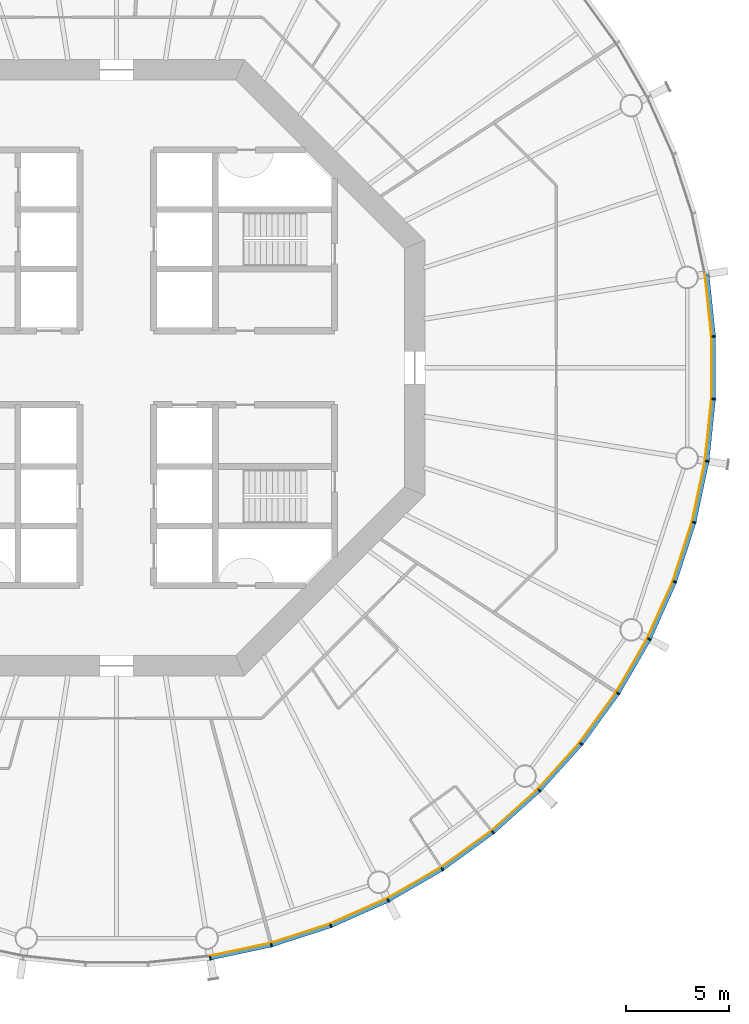
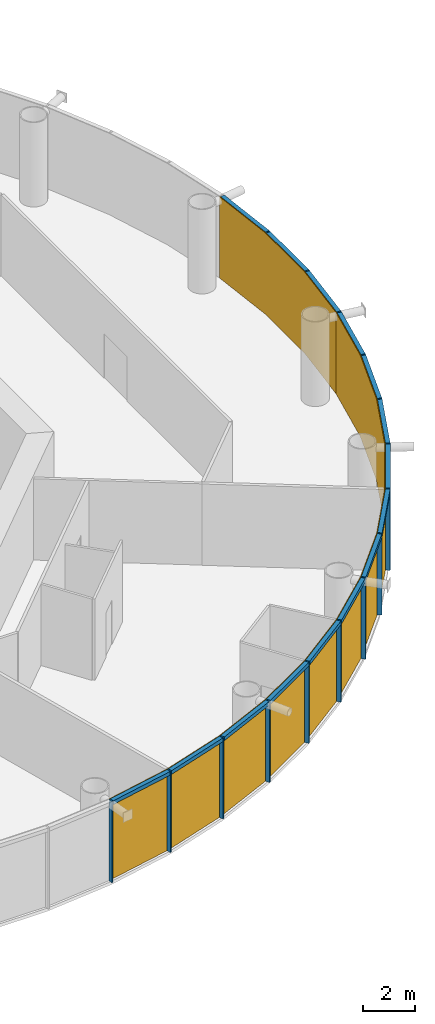
# One storey, part 13 of 17: 30 members, 5 curtain walls.
"""IFC4 building model written with IfcOpenShell, lengths in metres."""

from ifc_helpers import new_model, si_unit, direction, frame, origin, origin_2d, place, context, subcontext, project, spatial, polyline, rectangle, outline, extrude, material, layer, layer_set, material_profile, profile_set, type_object, element, aggregate, save


model = new_model("IFC4")

# Units and contexts
model_context = context("Model", 3, precision=1e-05, world=origin(), true_north=direction((0.0, 1.0)))
body_context = subcontext(model_context, "Body", "Model", "MODEL_VIEW")
ifc_project = project(units=[si_unit("LENGTHUNIT", "METRE"), si_unit("AREAUNIT", "SQUARE_METRE"), si_unit("VOLUMEUNIT", "CUBIC_METRE"), si_unit("PLANEANGLEUNIT", "RADIAN"), si_unit("MASSUNIT", "GRAM", prefix="KILO")], contexts=[model_context])

# Member
ifc_material_1 = material(Name="Anodised aluminium", Category="aluminium")
ifc_material_profile_1 = material_profile(ifc_material_1, rectangle(XDim=0.06494140625, YDim=0.18505859375, at=origin_2d()), Name="Mullion 65 x 185 mm anodised aluminium")
ifc_profile_set_1 = profile_set([ifc_material_profile_1], Name="Anodised aluminium")
member_type_1 = type_object("IfcMemberType", Name="Mullion 65 x 185 mm anodised aluminium", PredefinedType="MULLION", material=ifc_profile_set_1)
site_placement = place(None, origin())
building_placement = place(site_placement, origin())
storey_placement = place(building_placement, frame((0.0, 0.0, 176.0)))
member_1_placement = place(storey_placement, frame((94.551025390625, 51.265625, 0.0), z_axis=(0.0, 0.0, 1.0), x_axis=(0.987688340595, 0.15643446504, 0.0)))
member_1 = element("IfcMember", 1, at=member_1_placement, type_object=member_type_1, Name="MULLION L40-45", PredefinedType="MULLION", context=body_context, shape_type="SweptSolid", body=[
    extrude(rectangle(XDim=0.06494140625, YDim=0.18505859375, at=origin_2d()), origin(), (0.0, 0.0, 1.0), 3.85009765625),
])

member_2_placement = place(storey_placement, frame((97.52978515625, 51.898681640625, 0.0), z_axis=(0.0, 0.0, 1.0), x_axis=(0.965925826289, 0.258819045103, 0.0)))
member_2 = element("IfcMember", 2, at=member_2_placement, type_object=member_type_1, Name="MULLION L40-46", PredefinedType="MULLION", context=body_context, shape_type="SweptSolid", body=[
    extrude(rectangle(XDim=0.06494140625, YDim=0.18505859375, at=origin_2d()), origin(), (0.0, 0.0, 1.0), 3.85009765625),
])

member_3_placement = place(storey_placement, frame((100.42578125, 52.83984375, 0.0), z_axis=(0.0, 0.0, 1.0), x_axis=(0.933580426497, 0.358367949545, 0.0)))
member_3 = element("IfcMember", 3, at=member_3_placement, type_object=member_type_1, Name="MULLION L40-47", PredefinedType="MULLION", context=body_context, shape_type="SweptSolid", body=[
    extrude(rectangle(XDim=0.06494140625, YDim=0.18505859375, at=origin_2d()), origin(), (0.0, 0.0, 1.0), 3.85009765625),
])

member_4_placement = place(storey_placement, frame((103.207763671875, 54.078369140625, 0.0), z_axis=(0.0, 0.0, 1.0), x_axis=(0.891006524188, 0.45399049974, 0.0)))
member_4 = element("IfcMember", 4, at=member_4_placement, type_object=member_type_1, Name="MULLION L40-48", PredefinedType="MULLION", context=body_context, shape_type="SweptSolid", body=[
    extrude(rectangle(XDim=0.06494140625, YDim=0.18505859375, at=origin_2d()), origin(), (0.0, 0.0, 1.0), 3.85009765625),
])

member_5_placement = place(storey_placement, frame((105.844970703125, 55.60107421875, 0.0), z_axis=(0.0, 0.0, 1.0), x_axis=(0.838670567945, 0.544639035015, 0.0)))
member_5 = element("IfcMember", 5, at=member_5_placement, type_object=member_type_1, Name="MULLION L40-49", PredefinedType="MULLION", context=body_context, shape_type="SweptSolid", body=[
    extrude(rectangle(XDim=0.06494140625, YDim=0.18505859375, at=origin_2d()), origin(), (0.0, 0.0, 1.0), 3.85009765625),
])

member_6_placement = place(storey_placement, frame((108.30859375, 57.390869140625, 0.0), z_axis=(0.0, 0.0, 1.0), x_axis=(0.777145961457, 0.62932039105, 0.0)))
member_6 = element("IfcMember", 6, at=member_6_placement, type_object=member_type_1, Name="MULLION L40-50", PredefinedType="MULLION", context=body_context, shape_type="SweptSolid", body=[
    extrude(rectangle(XDim=0.06494140625, YDim=0.18505859375, at=origin_2d()), origin(), (0.0, 0.0, 1.0), 3.85009765625),
])

member_7_placement = place(storey_placement, frame((110.571533203125, 59.428466796875, 0.0), z_axis=(0.0, 0.0, 1.0), x_axis=(0.707106781187, 0.707106781187, 0.0)))
member_7 = element("IfcMember", 7, at=member_7_placement, type_object=member_type_1, Name="MULLION L40-51", PredefinedType="MULLION", context=body_context, shape_type="SweptSolid", body=[
    extrude(rectangle(XDim=0.06494140625, YDim=0.18505859375, at=origin_2d()), origin(), (0.0, 0.0, 1.0), 3.85009765625),
])

member_8_placement = place(storey_placement, frame((112.609130859375, 61.69140625, 0.0), z_axis=(0.0, 0.0, 1.0), x_axis=(0.62932039105, 0.777145961457, 0.0)))
member_8 = element("IfcMember", 8, at=member_8_placement, type_object=member_type_1, Name="MULLION L40-52", PredefinedType="MULLION", context=body_context, shape_type="SweptSolid", body=[
    extrude(rectangle(XDim=0.06494140625, YDim=0.18505859375, at=origin_2d()), origin(), (0.0, 0.0, 1.0), 3.85009765625),
])

member_9_placement = place(storey_placement, frame((114.39892578125, 64.155029296875, 0.0), z_axis=(0.0, 0.0, 1.0), x_axis=(0.544639035015, 0.838670567945, 0.0)))
member_9 = element("IfcMember", 9, at=member_9_placement, type_object=member_type_1, Name="MULLION L40-53", PredefinedType="MULLION", context=body_context, shape_type="SweptSolid", body=[
    extrude(rectangle(XDim=0.06494140625, YDim=0.18505859375, at=origin_2d()), origin(), (0.0, 0.0, 1.0), 3.85009765625),
])

member_10_placement = place(storey_placement, frame((115.921630859375, 66.792236328125, 0.0), z_axis=(0.0, 0.0, 1.0), x_axis=(0.45399049974, 0.891006524188, 0.0)))
member_10 = element("IfcMember", 10, at=member_10_placement, type_object=member_type_1, Name="MULLION L40-54", PredefinedType="MULLION", context=body_context, shape_type="SweptSolid", body=[
    extrude(rectangle(XDim=0.06494140625, YDim=0.18505859375, at=origin_2d()), origin(), (0.0, 0.0, 1.0), 3.85009765625),
])

member_11_placement = place(storey_placement, frame((117.16015625, 69.57421875, 0.0), z_axis=(0.0, 0.0, 1.0), x_axis=(0.358367949545, 0.933580426497, 0.0)))
member_11 = element("IfcMember", 11, at=member_11_placement, type_object=member_type_1, Name="MULLION L40-55", PredefinedType="MULLION", context=body_context, shape_type="SweptSolid", body=[
    extrude(rectangle(XDim=0.06494140625, YDim=0.18505859375, at=origin_2d()), origin(), (0.0, 0.0, 1.0), 3.85009765625),
])

member_12_placement = place(storey_placement, frame((118.101318359375, 72.47021484375, 0.0), z_axis=(0.0, 0.0, 1.0), x_axis=(0.258819045103, 0.965925826289, 0.0)))
member_12 = element("IfcMember", 12, at=member_12_placement, type_object=member_type_1, Name="MULLION L40-56", PredefinedType="MULLION", context=body_context, shape_type="SweptSolid", body=[
    extrude(rectangle(XDim=0.06494140625, YDim=0.18505859375, at=origin_2d()), origin(), (0.0, 0.0, 1.0), 3.85009765625),
])

member_13_placement = place(storey_placement, frame((118.734375, 75.448974609375, 0.0), z_axis=(0.0, 0.0, 1.0), x_axis=(0.15643446504, 0.987688340595, 0.0)))
member_13 = element("IfcMember", 13, at=member_13_placement, type_object=member_type_1, Name="MULLION L40-57", PredefinedType="MULLION", context=body_context, shape_type="SweptSolid", body=[
    extrude(rectangle(XDim=0.06494140625, YDim=0.18505859375, at=origin_2d()), origin(), (0.0, 0.0, 1.0), 3.85009765625),
])

member_14_placement = place(storey_placement, frame((119.052734375, 78.477294921875, 0.0), z_axis=(0.0, 0.0, 1.0), x_axis=(0.052335956243, 0.998629534755, 0.0)))
member_14 = element("IfcMember", 14, at=member_14_placement, type_object=member_type_1, Name="MULLION L40-58", PredefinedType="MULLION", context=body_context, shape_type="SweptSolid", body=[
    extrude(rectangle(XDim=0.06494140625, YDim=0.18505859375, at=origin_2d()), origin(), (0.0, 0.0, 1.0), 3.85009765625),
])

member_15_placement = place(storey_placement, frame((119.052734375, 81.522705078125, 0.0), z_axis=(0.0, 0.0, 1.0), x_axis=(-0.052335956243, 0.998629534755, 0.0)))
member_15 = element("IfcMember", 15, at=member_15_placement, type_object=member_type_1, Name="MULLION L40-59", PredefinedType="MULLION", context=body_context, shape_type="SweptSolid", body=[
    extrude(rectangle(XDim=0.06494140625, YDim=0.18505859375, at=origin_2d()), origin(), (0.0, 0.0, 1.0), 3.85009765625),
])

ifc_material_2 = material(Name="Anodised aluminium", Category="aluminium")
ifc_material_profile_2 = material_profile(ifc_material_2, rectangle(XDim=0.18505859375, YDim=0.175048828125, at=origin_2d()), Name="Transom 175 x 185 mm anodised aluminium")
ifc_profile_set_2 = profile_set([ifc_material_profile_2], Name="Anodised aluminium")
member_type_2 = type_object("IfcMemberType", Name="Transom 175 x 185 mm anodised aluminium", PredefinedType="USERDEFINED", material=ifc_profile_set_2)
member_16_placement = place(storey_placement, frame((94.587646484375, 51.2734375, 3.762451171875), z_axis=(0.97815822425, 0.207861704825, 0.0), x_axis=(-0.207861704825, 0.97815822425, 0.0)))
member_16 = element("IfcMember", 16, at=member_16_placement, type_object=member_type_2, Name="TRANSOM L40-45", ObjectType="TRANSOM", PredefinedType="USERDEFINED", context=body_context, shape_type="SweptSolid", body=[
    extrude(rectangle(XDim=0.18505859375, YDim=0.175048828125, at=origin_2d()), origin(), (0.0, 0.0, 1.0), 2.970458984375),
])

member_17_placement = place(storey_placement, frame((97.565185546875, 51.91015625, 3.762451171875), z_axis=(0.951055809184, 0.30901917063, 0.0), x_axis=(-0.30901917063, 0.951055809184, 0.0)))
member_17 = element("IfcMember", 17, at=member_17_placement, type_object=member_type_2, Name="TRANSOM L40-46", ObjectType="TRANSOM", PredefinedType="USERDEFINED", context=body_context, shape_type="SweptSolid", body=[
    extrude(rectangle(XDim=0.18505859375, YDim=0.175048828125, at=origin_2d()), origin(), (0.0, 0.0, 1.0), 2.970703125),
])

member_18_placement = place(storey_placement, frame((100.4599609375, 52.85498046875, 3.762451171875), z_axis=(0.913567348806, 0.406687471156, 0.0), x_axis=(-0.406687471156, 0.913567348806, 0.0)))
member_18 = element("IfcMember", 18, at=member_18_placement, type_object=member_type_2, Name="TRANSOM L40-47", ObjectType="TRANSOM", PredefinedType="USERDEFINED", context=body_context, shape_type="SweptSolid", body=[
    extrude(rectangle(XDim=0.18505859375, YDim=0.175048828125, at=origin_2d()), origin(), (0.0, 0.0, 1.0), 2.970458984375),
])

member_19_placement = place(storey_placement, frame((103.240234375, 54.096923828125, 3.762451171875), z_axis=(0.866009025146, 0.500028367561, 0.0), x_axis=(-0.500028367561, 0.866009025146, 0.0)))
member_19 = element("IfcMember", 19, at=member_19_placement, type_object=member_type_2, Name="TRANSOM L40-48", ObjectType="TRANSOM", PredefinedType="USERDEFINED", context=body_context, shape_type="SweptSolid", body=[
    extrude(rectangle(XDim=0.18505859375, YDim=0.175048828125, at=origin_2d()), origin(), (0.0, 0.0, 1.0), 2.970458984375),
])

member_20_placement = place(storey_placement, frame((105.875244140625, 55.622802734375, 3.762451171875), z_axis=(0.808991906087, 0.587819781808, 0.0), x_axis=(-0.587819781808, 0.808991906087, 0.0)))
member_20 = element("IfcMember", 20, at=member_20_placement, type_object=member_type_2, Name="TRANSOM L40-49", ObjectType="TRANSOM", PredefinedType="USERDEFINED", context=body_context, shape_type="SweptSolid", body=[
    extrude(rectangle(XDim=0.18505859375, YDim=0.175048828125, at=origin_2d()), origin(), (0.0, 0.0, 1.0), 2.970458984375),
])

member_21_placement = place(storey_placement, frame((108.33642578125, 57.415771484375, 3.762451171875), z_axis=(0.743163354343, 0.669110027395, 0.0), x_axis=(-0.669110027395, 0.743163354343, 0.0)))
member_21 = element("IfcMember", 21, at=member_21_placement, type_object=member_type_2, Name="TRANSOM L40-50", ObjectType="TRANSOM", PredefinedType="USERDEFINED", context=body_context, shape_type="SweptSolid", body=[
    extrude(rectangle(XDim=0.18505859375, YDim=0.175048828125, at=origin_2d()), origin(), (0.0, 0.0, 1.0), 2.970458984375),
])

member_22_placement = place(storey_placement, frame((110.5966796875, 59.4560546875, 3.762451171875), z_axis=(0.669110027395, 0.743163354343, 0.0), x_axis=(-0.743163354343, 0.669110027395, 0.0)))
member_22 = element("IfcMember", 22, at=member_22_placement, type_object=member_type_2, Name="TRANSOM L40-51", ObjectType="TRANSOM", PredefinedType="USERDEFINED", context=body_context, shape_type="SweptSolid", body=[
    extrude(rectangle(XDim=0.18505859375, YDim=0.175048828125, at=origin_2d()), origin(), (0.0, 0.0, 1.0), 2.970458984375),
])

member_23_placement = place(storey_placement, frame((112.631103515625, 61.7216796875, 3.762451171875), z_axis=(0.587819781808, 0.808991906087, 0.0), x_axis=(-0.808991906087, 0.587819781808, 0.0)))
member_23 = element("IfcMember", 23, at=member_23_placement, type_object=member_type_2, Name="TRANSOM L40-52", ObjectType="TRANSOM", PredefinedType="USERDEFINED", context=body_context, shape_type="SweptSolid", body=[
    extrude(rectangle(XDim=0.18505859375, YDim=0.175048828125, at=origin_2d()), origin(), (0.0, 0.0, 1.0), 2.970458984375),
])

member_24_placement = place(storey_placement, frame((114.417724609375, 64.187255859375, 3.762451171875), z_axis=(0.500028367561, 0.866009025146, 0.0), x_axis=(-0.866009025146, 0.500028367561, 0.0)))
member_24 = element("IfcMember", 24, at=member_24_placement, type_object=member_type_2, Name="TRANSOM L40-53", ObjectType="TRANSOM", PredefinedType="USERDEFINED", context=body_context, shape_type="SweptSolid", body=[
    extrude(rectangle(XDim=0.18505859375, YDim=0.175048828125, at=origin_2d()), origin(), (0.0, 0.0, 1.0), 2.970458984375),
])

member_25_placement = place(storey_placement, frame((115.93701171875, 66.826416015625, 3.762451171875), z_axis=(0.406687471156, 0.913567348806, 0.0), x_axis=(-0.913567348806, 0.406687471156, 0.0)))
member_25 = element("IfcMember", 25, at=member_25_placement, type_object=member_type_2, Name="TRANSOM L40-54", ObjectType="TRANSOM", PredefinedType="USERDEFINED", context=body_context, shape_type="SweptSolid", body=[
    extrude(rectangle(XDim=0.18505859375, YDim=0.175048828125, at=origin_2d()), origin(), (0.0, 0.0, 1.0), 2.970458984375),
])

member_26_placement = place(storey_placement, frame((117.171875, 69.609619140625, 3.762451171875), z_axis=(0.30901917063, 0.951055809184, 0.0), x_axis=(-0.951055809184, 0.30901917063, 0.0)))
member_26 = element("IfcMember", 26, at=member_26_placement, type_object=member_type_2, Name="TRANSOM L40-55", ObjectType="TRANSOM", PredefinedType="USERDEFINED", context=body_context, shape_type="SweptSolid", body=[
    extrude(rectangle(XDim=0.18505859375, YDim=0.175048828125, at=origin_2d()), origin(), (0.0, 0.0, 1.0), 2.970703125),
])

member_27_placement = place(storey_placement, frame((118.109130859375, 72.5068359375, 3.762451171875), z_axis=(0.207861704825, 0.97815822425, 0.0), x_axis=(-0.97815822425, 0.207861704825, 0.0)))
member_27 = element("IfcMember", 27, at=member_27_placement, type_object=member_type_2, Name="TRANSOM L40-56", ObjectType="TRANSOM", PredefinedType="USERDEFINED", context=body_context, shape_type="SweptSolid", body=[
    extrude(rectangle(XDim=0.18505859375, YDim=0.175048828125, at=origin_2d()), origin(), (0.0, 0.0, 1.0), 2.970458984375),
])

member_28_placement = place(storey_placement, frame((118.73828125, 75.486083984375, 3.762451171875), z_axis=(0.104547872381, 0.994519855197, 0.0), x_axis=(-0.994519855197, 0.104547872381, 0.0)))
member_28 = element("IfcMember", 28, at=member_28_placement, type_object=member_type_2, Name="TRANSOM L40-57", ObjectType="TRANSOM", PredefinedType="USERDEFINED", context=body_context, shape_type="SweptSolid", body=[
    extrude(rectangle(XDim=0.18505859375, YDim=0.175048828125, at=origin_2d()), origin(), (0.0, 0.0, 1.0), 2.970458984375),
])

member_29_placement = place(storey_placement, frame((119.052734375, 78.5146484375, 3.762451171875), z_axis=(0.0, 1.0, 0.0), x_axis=(-1.0, 0.0, 0.0)))
member_29 = element("IfcMember", 29, at=member_29_placement, type_object=member_type_2, Name="TRANSOM L40-58", ObjectType="TRANSOM", PredefinedType="USERDEFINED", context=body_context, shape_type="SweptSolid", body=[
    extrude(rectangle(XDim=0.18505859375, YDim=0.175048828125, at=origin_2d()), origin(), (0.0, 0.0, 1.0), 2.970703125),
])

member_30_placement = place(storey_placement, frame((119.048828125, 81.559814453125, 3.762451171875), z_axis=(-0.104547872381, 0.994519855197, 0.0), x_axis=(-0.994519855197, -0.104547872381, 0.0)))
member_30 = element("IfcMember", 30, at=member_30_placement, type_object=member_type_2, Name="TRANSOM L40-59", ObjectType="TRANSOM", PredefinedType="USERDEFINED", context=body_context, shape_type="SweptSolid", body=[
    extrude(rectangle(XDim=0.18505859375, YDim=0.175048828125, at=origin_2d()), origin(), (0.0, 0.0, 1.0), 2.970458984375),
])

# Site, building, storey
site = spatial("IfcSite", under=ifc_project, at=site_placement, CompositionType="ELEMENT")
building = spatial("IfcBuilding", under=site, at=building_placement, Name="Entoto Ring Tower", CompositionType="ELEMENT")
storey = spatial("IfcBuildingStorey", under=building, at=storey_placement, Name="L40", CompositionType="ELEMENT", Elevation=176.0)

# Curtain wall
ifc_material_3 = material(Name="Clear low-iron glass", Category="glass")
ifc_layer = layer(ifc_material_3, 0.033935546875)
ifc_layer_set = layer_set([ifc_layer], Name="Clear low-iron glass")
curtain_wall_type = type_object("IfcCurtainWallType", Name="Curtain wall system CW3 glazing 34 mm", PredefinedType="NOTDEFINED", material=ifc_layer_set)
curtain_wall_1_placement = place(storey_placement, origin())
curtain_wall_1 = element("IfcCurtainWall", 31, at=curtain_wall_1_placement, inside=storey, type_object=curtain_wall_type, Name="CW3 L40-16", PredefinedType="NOTDEFINED", context=body_context, shape_type="SweptSolid", body=[
    extrude(outline(polyline([(94.53662109375, 51.35693359375), (97.505859375, 51.988037109375), (100.392578125, 52.92626953125), (103.165771484375, 54.160888671875), (103.150146484375, 54.191162109375), (100.38037109375, 52.9580078125), (97.496826171875, 52.02099609375), (94.53125, 51.390625), (94.53662109375, 51.35693359375)])), origin(), (0.0, 0.0, 1.0), 3.85009765625),
])

aggregate(curtain_wall_1, [member_1, member_2, member_3, member_16, member_17, member_18])

curtain_wall_2_placement = place(storey_placement, origin())
curtain_wall_2 = element("IfcCurtainWall", 32, at=curtain_wall_2_placement, inside=storey, type_object=curtain_wall_type, Name="CW3 L40-17", PredefinedType="NOTDEFINED", context=body_context, shape_type="SweptSolid", body=[
    extrude(outline(polyline([(103.165771484375, 54.160888671875), (105.79443359375, 55.678466796875), (108.250244140625, 57.462646484375), (110.506103515625, 59.493896484375), (110.48193359375, 59.51806640625), (108.228759765625, 57.4892578125), (105.77587890625, 55.70703125), (103.150146484375, 54.191162109375), (103.165771484375, 54.160888671875)])), origin(), (0.0, 0.0, 1.0), 3.85009765625),
])

aggregate(curtain_wall_2, [member_4, member_5, member_6, member_19, member_20, member_21])

curtain_wall_3_placement = place(storey_placement, origin())
curtain_wall_3 = element("IfcCurtainWall", 33, at=curtain_wall_3_placement, inside=storey, type_object=curtain_wall_type, Name="CW3 L40-18", PredefinedType="NOTDEFINED", context=body_context, shape_type="SweptSolid", body=[
    extrude(outline(polyline([(110.506103515625, 59.493896484375), (112.537353515625, 61.749755859375), (114.321533203125, 64.20556640625), (115.839111328125, 66.834228515625), (115.808837890625, 66.849853515625), (114.29296875, 64.22412109375), (112.5107421875, 61.771240234375), (110.48193359375, 59.51806640625), (110.506103515625, 59.493896484375)])), origin(), (0.0, 0.0, 1.0), 3.85009765625),
])

aggregate(curtain_wall_3, [member_7, member_8, member_9, member_22, member_23, member_24])

curtain_wall_4_placement = place(storey_placement, origin())
curtain_wall_4 = element("IfcCurtainWall", 34, at=curtain_wall_4_placement, inside=storey, type_object=curtain_wall_type, Name="CW3 L40-19", PredefinedType="NOTDEFINED", context=body_context, shape_type="SweptSolid", body=[
    extrude(outline(polyline([(115.839111328125, 66.834228515625), (117.07373046875, 69.607421875), (118.011962890625, 72.494140625), (118.64306640625, 75.46337890625), (118.609375, 75.46875), (117.97900390625, 72.503173828125), (117.0419921875, 69.61962890625), (115.808837890625, 66.849853515625), (115.839111328125, 66.834228515625)])), origin(), (0.0, 0.0, 1.0), 3.85009765625),
])

aggregate(curtain_wall_4, [member_10, member_11, member_12, member_25, member_26, member_27])

curtain_wall_5_placement = place(storey_placement, origin())
curtain_wall_5 = element("IfcCurtainWall", 35, at=curtain_wall_5_placement, inside=storey, type_object=curtain_wall_type, Name="CW3 L40-20", PredefinedType="NOTDEFINED", context=body_context, shape_type="SweptSolid", body=[
    extrude(outline(polyline([(118.64306640625, 75.46337890625), (118.960205078125, 78.482177734375), (118.960205078125, 81.517822265625), (118.64306640625, 84.53662109375), (118.609375, 84.53125), (118.92626953125, 81.515869140625), (118.92626953125, 78.484130859375), (118.609375, 75.46875), (118.64306640625, 75.46337890625)])), origin(), (0.0, 0.0, 1.0), 3.85009765625),
])

aggregate(curtain_wall_5, [member_13, member_14, member_15, member_28, member_29, member_30])

save(model, "model.ifc")
